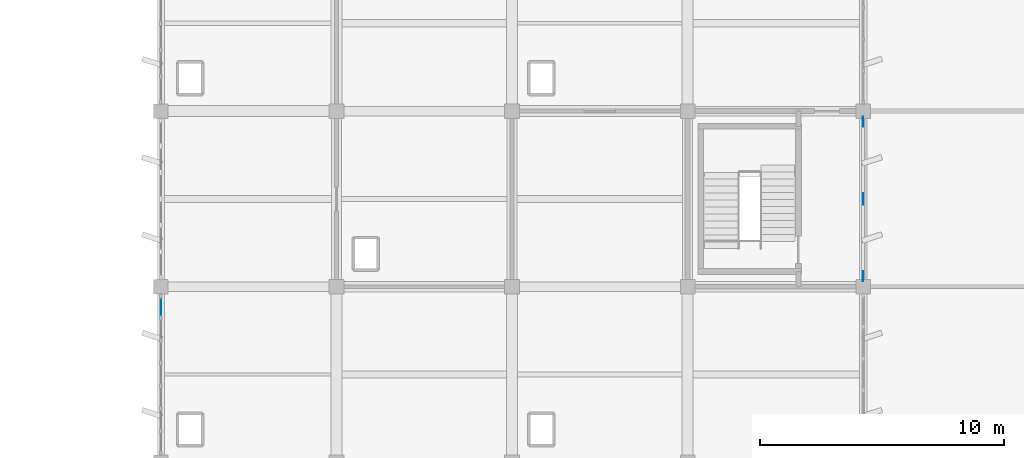
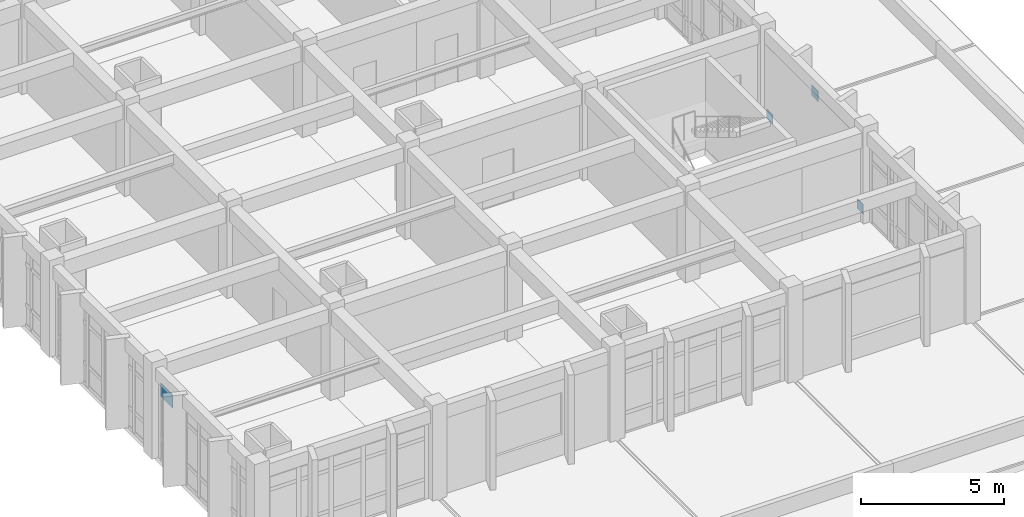
# One storey, part 48 of 62: 4 plates, 1 element without a shape of its own.
"""IFC4 building model written with IfcOpenShell, lengths in metres."""

from ifc_helpers import new_model, si_unit, direction, frame, origin, origin_2d, place, context, subcontext, project, spatial, rectangle, extrude, material, layer, layer_set, type_object, element, aggregate, save


model = new_model("IFC4")

# Units and contexts
model_context = context("Model", 3, precision=1e-05, world=origin(), true_north=direction((0.0, 1.0)))
body_context = subcontext(model_context, "Body", "Model", "MODEL_VIEW")
ifc_project = project(units=[si_unit("LENGTHUNIT", "METRE"), si_unit("AREAUNIT", "SQUARE_METRE"), si_unit("VOLUMEUNIT", "CUBIC_METRE"), si_unit("PLANEANGLEUNIT", "RADIAN"), si_unit("MASSUNIT", "GRAM", prefix="KILO")], contexts=[model_context])

# Site, building, storey
site_placement = place(None, origin())
site = spatial("IfcSite", under=ifc_project, at=site_placement, CompositionType="ELEMENT")
building_placement = place(site_placement, origin())
building = spatial("IfcBuilding", under=site, at=building_placement, Name="Kavelor Marine Aquarium", CompositionType="ELEMENT")
storey_placement = place(building_placement, frame((0.0, 0.0, 13.5)))
storey = spatial("IfcBuildingStorey", under=building, at=storey_placement, Name="L03", CompositionType="ELEMENT", Elevation=13.5)

# Curtain wall, plate
ifc_material_1 = material(Name="Thermally Broken Aluminium and Low-E Glass", Category="aluminium")
ifc_layer_1 = layer(ifc_material_1, 0.156005859375)
ifc_layer_set_1 = layer_set([ifc_layer_1], Name="CW-SYS2")
curtain_wall_type = type_object("IfcCurtainWallType", Name="CW-SYS2", PredefinedType="USERDEFINED", material=ifc_layer_set_1)
curtain_wall_placement = place(storey_placement, origin())
curtain_wall = element("IfcCurtainWall", 1, at=curtain_wall_placement, inside=storey, type_object=curtain_wall_type, Name="cw:y:L03:16_08", ObjectType="Curtain Wall", PredefinedType="USERDEFINED")
ifc_material_2 = material(Name="Solar-Control Double Low-E Glazing", Category="glass")
ifc_layer_2 = layer(ifc_material_2, 0.028076171875)
ifc_layer_set_2 = layer_set([ifc_layer_2], Name="CWP-02")
plate_type_1 = type_object("IfcPlateType", Name="CWP-02", PredefinedType="CURTAIN_PANEL", material=ifc_layer_set_2)
plate_1_placement = place(storey_placement, frame((118.39990234375, 66.773681640625, 2.6826171875), z_axis=(0.0, 0.0, 1.0), x_axis=(0.0, -1.0, 0.0)))
plate_1 = element("IfcPlate", 2, at=plate_1_placement, type_object=plate_type_1, Name="CW02 panel 1.3", PredefinedType="CURTAIN_PANEL", context=body_context, shape_type="SweptSolid", body=[
    extrude(rectangle(XDim=0.83251953125, YDim=0.028076171875, at=origin_2d()), origin(), (0.0, 0.0, 1.0), 0.552490234375),
])
aggregate(curtain_wall, [plate_1])

# Plates
ifc_material_3 = material(Name="Steel S355", Category="steel")
ifc_layer_3 = layer(ifc_material_3, 0.01953125)
ifc_layer_set_3 = layer_set([ifc_layer_3], Name="PL-GP11")
plate_type_2 = type_object("IfcPlateType", Name="PL-GP11", PredefinedType="SHEET", material=ifc_layer_set_3)
plate_2_placement = place(storey_placement, frame((147.199951171875, 71.199951171875, 2.90234375), z_axis=(0.0, 0.0, 1.0), x_axis=(1.0, 0.0, 0.0)))
element("IfcPlate", 3, at=plate_2_placement, inside=storey, type_object=plate_type_2, Name="sbr:gp:m:6", PredefinedType="SHEET", context=body_context, shape_type="SweptSolid", body=[
    extrude(rectangle(XDim=0.01953125, YDim=0.455078125, at=origin_2d()), origin(), (0.0, 0.0, 1.0), 0.455078125),
])
ifc_material_4 = material(Name="Steel S355", Category="steel")
ifc_layer_4 = layer(ifc_material_4, 0.01806640625)
ifc_layer_set_4 = layer_set([ifc_layer_4], Name="PL-GP12")
plate_type_3 = type_object("IfcPlateType", Name="PL-GP12", PredefinedType="SHEET", material=ifc_layer_set_4)
for number, where, z_axis, x_axis, name in (
    (4, (147.199951171875, 68.030029296875, 0.0), (0.0, 0.0, 1.0), (1.0, 0.0, 0.0), "sbr:gp:a:6"),
    (5, (147.199951171875, 74.3701171875, 0.0), (0.0, 0.0, 1.0), (1.0, 0.0, 0.0), "sbr:gp:b:6"),
):
    element("IfcPlate", number, at=place(storey_placement, frame(where, z_axis=z_axis, x_axis=x_axis)), inside=storey, type_object=plate_type_3, Name=name, PredefinedType="SHEET", context=body_context, shape_type="SweptSolid", body=[
        extrude(rectangle(XDim=0.01806640625, YDim=0.419921875, at=origin_2d()), origin(), (0.0, 0.0, 1.0), 0.419921875),
    ])

save(model, "model.ifc")
